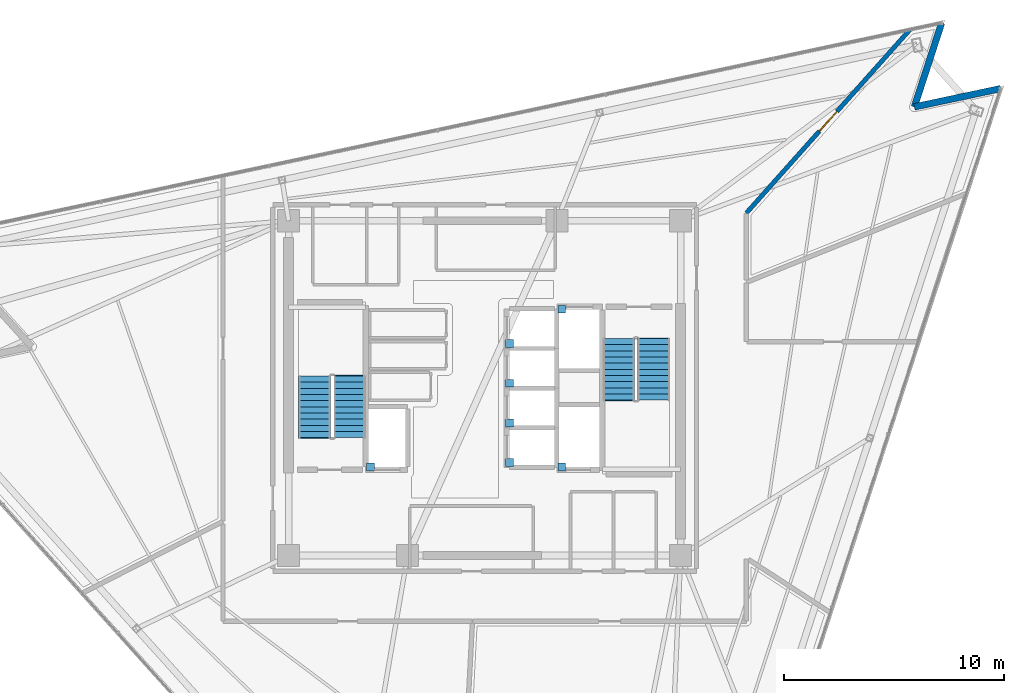
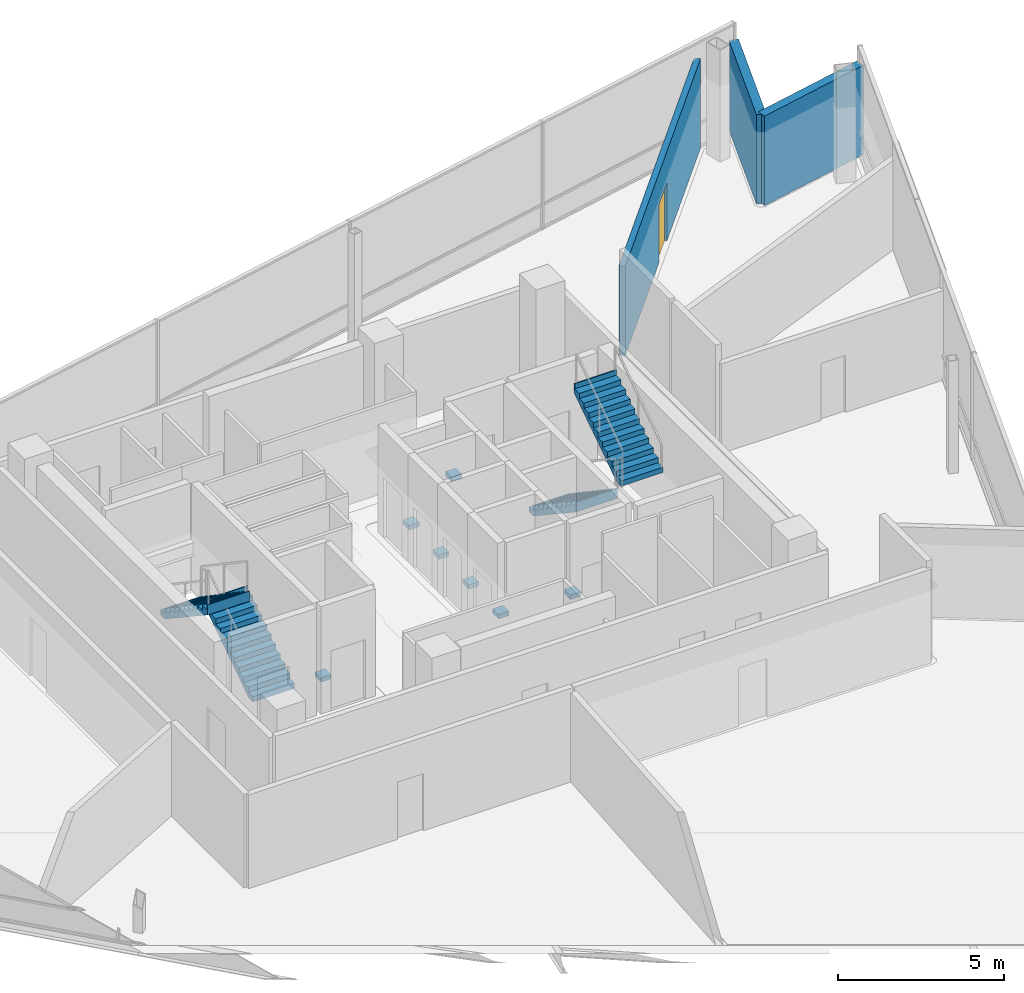
# One storey, part 13 of 17: 7 discrete accessories, 4 stair flights, 3 walls, 1 door, 1 opening, 2 elements without a shape of their own.
"""IFC4 building model written with IfcOpenShell, lengths in metres."""

from ifc_helpers import new_model, si_unit, direction, frame, frame_2d, origin, origin_2d, place, context, subcontext, project, spatial, polyline, rectangle, outline, extrude, material, layer, layer_set, type_object, element, fill, aggregate, save


model = new_model("IFC4")

# Units and contexts
model_context = context("Model", 3, precision=1e-05, world=origin(), true_north=direction((0.0, 1.0)))
body_context = subcontext(model_context, "Body", "Model", "MODEL_VIEW")
ifc_project = project(units=[si_unit("LENGTHUNIT", "METRE"), si_unit("AREAUNIT", "SQUARE_METRE"), si_unit("VOLUMEUNIT", "CUBIC_METRE"), si_unit("PLANEANGLEUNIT", "RADIAN"), si_unit("MASSUNIT", "GRAM", prefix="KILO")], contexts=[model_context])

# Site, building, storey
site_placement = place(None, origin())
site = spatial("IfcSite", under=ifc_project, at=site_placement, CompositionType="ELEMENT")
building_placement = place(site_placement, origin())
building = spatial("IfcBuilding", under=site, at=building_placement, Name="Tharavind Bronze Gate", CompositionType="ELEMENT")
storey_placement = place(building_placement, frame((0.0, 0.0, 298.0)))
storey = spatial("IfcBuildingStorey", under=building, at=storey_placement, Name="L77", CompositionType="ELEMENT", Elevation=298.0)

# Walls
ifc_material_1 = material(Name="Concrete C40/50", Category="concrete")
ifc_layer_1 = layer(ifc_material_1, 0.300048828125)
ifc_layer_set_1 = layer_set([ifc_layer_1], Name="Concrete C40/50")
wall_type_1 = type_object("IfcWallType", Name="EXTERIOR SPANDREL WALL 300", PredefinedType="STANDARD", material=ifc_layer_set_1)
wall_1_placement = place(storey_placement, frame((23.433837890625, 13.603271484375, 0.0), z_axis=(0.0, 0.0, 1.0), x_axis=(-0.97815049033, -0.207898095871, 0.0)))
element("IfcWall", 1, at=wall_1_placement, inside=storey, type_object=wall_type_1, Name="L77 notch cheek wall 3A", PredefinedType="STANDARD", context=body_context, shape_type="SweptSolid", body=[
    extrude(rectangle(XDim=4.008056640625, YDim=0.300048828125, at=frame_2d((2.00390625, 0.0))), origin(), (0.0, 0.0, 1.0), 3.294921875),
])
wall_2_placement = place(storey_placement, frame((19.513427734375, 12.77001953125, 0.0), z_axis=(0.0, 0.0, 1.0), x_axis=(0.309018580232, 0.951056001018, 0.0)))
element("IfcWall", 2, at=wall_2_placement, inside=storey, type_object=wall_type_1, Name="L77 notch cheek wall 3B", PredefinedType="STANDARD", context=body_context, shape_type="SweptSolid", body=[
    extrude(rectangle(XDim=4.0078125, YDim=0.300048828125, at=frame_2d((2.00390625, 0.0))), origin(), (0.0, 0.0, 1.0), 3.294921875),
])

# Wall, opening, door
ifc_material_2 = material(Name="Aerated Concrete Block", Category="concrete")
ifc_layer_2 = layer(ifc_material_2, 0.199951171875)
ifc_layer_set_2 = layer_set([ifc_layer_2], Name="Aerated Concrete Block")
wall_type_2 = type_object("IfcWallType", Name="FIRE RATED PARTITION 200", PredefinedType="PARTITIONING", material=ifc_layer_set_2)
wall_3_placement = place(storey_placement, frame((11.88623046875, 7.952880859375, 0.0), z_axis=(0.0, 0.0, 1.0), x_axis=(0.665691620666, 0.746226953531, 0.0)))
wall_3 = element("IfcWall", 3, at=wall_3_placement, inside=storey, type_object=wall_type_2, Name="L77 Crown Horizon Restaurant partition", PredefinedType="PARTITIONING", context=body_context, shape_type="SweptSolid", body=[
    extrude(rectangle(XDim=11.15283203125, YDim=0.199951171875, at=frame_2d((5.576416015625, 0.0))), origin(), (0.0, 0.0, 1.0), 3.294921875),
])
opening_placement = place(wall_3_placement, frame((4.97607421875, 0.0, 0.0)))
opening = element("IfcOpeningElement", 4, at=opening_placement, cuts=wall_3, Name="Opening ID05", PredefinedType="OPENING", context=body_context, shape_type="SweptSolid", body=[
    extrude(rectangle(XDim=1.199951171875, YDim=2.14990234375, at=frame_2d((0.60009765625, 1.074951171875))), frame((0.0, 0.11009765625, 0.0), z_axis=(0.0, -1.0, 0.0), x_axis=(1.0, 0.0, 0.0)), (0.0, 0.0, 1.0), 0.219951171875),
])
ifc_material_3 = material(Name="Acoustic Laminated Glass", Category="glass")
door_type = type_object("IfcDoorType", Name="MEETING ROOM GLAZED DOOR 1200X2150", OperationType="SINGLE_SWING_LEFT", PredefinedType="DOOR", material=ifc_material_3)
door_placement = place(opening_placement, origin())
door = element("IfcDoor", 5, at=door_placement, inside=storey, type_object=door_type, Name="L77 Crown Horizon Restaurant door", OperationType="SINGLE_SWING_LEFT", OverallHeight=2.14990234375, OverallWidth=1.199951171875, PredefinedType="DOOR", context=body_context, shape_type="SweptSolid", body=[
    extrude(rectangle(XDim=1.199951171875, YDim=2.14990234375, at=frame_2d((0.60009765625, 1.074951171875))), frame((0.0, 0.02490234375, 0.0), z_axis=(0.0, -1.0, 0.0), x_axis=(1.0, 0.0, 0.0)), (0.0, 0.0, 1.0), 0.050048828125),
])
fill(opening, door)

# Stair, stair flights
stair_type = type_object("IfcStairType", Name="CORE HALF TURN STAIR 1450", PredefinedType="HALF_TURN_STAIR", material=ifc_material_1)
stair_1_placement = place(storey_placement, origin())
stair_1 = element("IfcStair", 6, at=stair_1_placement, inside=storey, type_object=stair_type, Name="L77 Protected Exit Stair ST1", PredefinedType="HALF_TURN_STAIR")
stair_flight_type = type_object("IfcStairFlightType", Name="CORE STAIR FLIGHT 1450", PredefinedType="STRAIGHT", material=ifc_material_1)
stair_flight_1_placement = place(storey_placement, frame((-6.125, -2.25, 0.0), z_axis=(0.0, 0.0, 1.0), x_axis=(0.0, 1.0, 0.0)))
stair_flight_1 = element("IfcStairFlight", 7, at=stair_flight_1_placement, type_object=stair_flight_type, Name="ST1 flight 1", NumberOfRisers=11, NumberOfTreads=10, PredefinedType="STRAIGHT", RiserHeight=0.188636364, TreadLength=0.28, context=body_context, shape_type="SweptSolid", body=[
    extrude(outline(polyline([(0.0, 0.0), (0.0, 0.188720703125), (0.280029296875, 0.188720703125), (0.280029296875, 0.377197265625), (0.56005859375, 0.377197265625), (0.56005859375, 0.56591796875), (0.840087890625, 0.56591796875), (0.840087890625, 0.754638671875), (1.1201171875, 0.754638671875), (1.1201171875, 0.943115234375), (1.39990234375, 0.943115234375), (1.39990234375, 1.1318359375), (1.679931640625, 1.1318359375), (1.679931640625, 1.320556640625), (1.9599609375, 1.320556640625), (1.9599609375, 1.509033203125), (2.239990234375, 1.509033203125), (2.239990234375, 1.69775390625), (2.52001953125, 1.69775390625), (2.52001953125, 1.886474609375), (2.800048828125, 1.886474609375), (2.800048828125, 2.074951171875), (2.8359375, 2.074951171875), (2.8359375, 1.70556640625), (0.268310546875, 0.0), (0.0, 0.0)])), frame((0.0, 0.72509765625, 0.0), z_axis=(0.0, -1.0, 0.0), x_axis=(1.0, 0.0, 0.0)), (0.0, 0.0, 1.0), 1.449951171875),
])
stair_flight_2_placement = place(storey_placement, frame((-7.72509765625, 0.550048828125, 2.074951171875), z_axis=(0.0, 0.0, 1.0), x_axis=(0.0, -1.0, 0.0)))
stair_flight_2 = element("IfcStairFlight", 8, at=stair_flight_2_placement, type_object=stair_flight_type, Name="ST1 flight 2", NumberOfRisers=11, NumberOfTreads=10, PredefinedType="STRAIGHT", RiserHeight=0.188636364, TreadLength=0.28, context=body_context, shape_type="SweptSolid", body=[
    extrude(outline(polyline([(0.0, 0.0), (0.0, 0.188720703125), (0.280029296875, 0.188720703125), (0.280029296875, 0.377197265625), (0.56005859375, 0.377197265625), (0.56005859375, 0.56591796875), (0.840087890625, 0.56591796875), (0.840087890625, 0.754638671875), (1.1201171875, 0.754638671875), (1.1201171875, 0.943115234375), (1.39990234375, 0.943115234375), (1.39990234375, 1.1318359375), (1.679931640625, 1.1318359375), (1.679931640625, 1.320556640625), (1.9599609375, 1.320556640625), (1.9599609375, 1.509033203125), (2.239990234375, 1.509033203125), (2.239990234375, 1.69775390625), (2.52001953125, 1.69775390625), (2.52001953125, 1.886474609375), (2.800048828125, 1.886474609375), (2.800048828125, 2.074951171875), (2.8359375, 2.074951171875), (2.8359375, 1.70556640625), (0.268310546875, 0.0), (0.0, 0.0)])), frame((0.0, 0.72509765625, 0.0), z_axis=(0.0, -1.0, 0.0), x_axis=(1.0, 0.0, 0.0)), (0.0, 0.0, 1.0), 1.449951171875),
])
aggregate(stair_1, [stair_flight_1, stair_flight_2])

stair_2_placement = place(storey_placement, origin())
stair_2 = element("IfcStair", 9, at=stair_2_placement, inside=storey, type_object=stair_type, Name="L77 Protected Exit Stair ST2", PredefinedType="HALF_TURN_STAIR")
stair_flight_3_placement = place(storey_placement, frame((6.074951171875, 2.25, 0.0), z_axis=(0.0, 0.0, 1.0), x_axis=(0.0, -1.0, 0.0)))
stair_flight_3 = element("IfcStairFlight", 10, at=stair_flight_3_placement, type_object=stair_flight_type, Name="ST2 flight 1", NumberOfRisers=11, NumberOfTreads=10, PredefinedType="STRAIGHT", RiserHeight=0.188636364, TreadLength=0.28, context=body_context, shape_type="SweptSolid", body=[
    extrude(outline(polyline([(0.0, 0.0), (0.0, 0.188720703125), (0.280029296875, 0.188720703125), (0.280029296875, 0.377197265625), (0.56005859375, 0.377197265625), (0.56005859375, 0.56591796875), (0.840087890625, 0.56591796875), (0.840087890625, 0.754638671875), (1.1201171875, 0.754638671875), (1.1201171875, 0.943115234375), (1.39990234375, 0.943115234375), (1.39990234375, 1.1318359375), (1.679931640625, 1.1318359375), (1.679931640625, 1.320556640625), (1.9599609375, 1.320556640625), (1.9599609375, 1.509033203125), (2.239990234375, 1.509033203125), (2.239990234375, 1.69775390625), (2.52001953125, 1.69775390625), (2.52001953125, 1.886474609375), (2.800048828125, 1.886474609375), (2.800048828125, 2.074951171875), (2.8359375, 2.074951171875), (2.8359375, 1.70556640625), (0.268310546875, 0.0), (0.0, 0.0)])), frame((0.0, 0.72509765625, 0.0), z_axis=(0.0, -1.0, 0.0), x_axis=(1.0, 0.0, 0.0)), (0.0, 0.0, 1.0), 1.449951171875),
])
stair_flight_4_placement = place(storey_placement, frame((7.675048828125, -0.550048828125, 2.074951171875), z_axis=(0.0, 0.0, 1.0), x_axis=(0.0, 1.0, 0.0)))
stair_flight_4 = element("IfcStairFlight", 11, at=stair_flight_4_placement, type_object=stair_flight_type, Name="ST2 flight 2", NumberOfRisers=11, NumberOfTreads=10, PredefinedType="STRAIGHT", RiserHeight=0.188636364, TreadLength=0.28, context=body_context, shape_type="SweptSolid", body=[
    extrude(outline(polyline([(0.0, 0.0), (0.0, 0.188720703125), (0.280029296875, 0.188720703125), (0.280029296875, 0.377197265625), (0.56005859375, 0.377197265625), (0.56005859375, 0.56591796875), (0.840087890625, 0.56591796875), (0.840087890625, 0.754638671875), (1.1201171875, 0.754638671875), (1.1201171875, 0.943115234375), (1.39990234375, 0.943115234375), (1.39990234375, 1.1318359375), (1.679931640625, 1.1318359375), (1.679931640625, 1.320556640625), (1.9599609375, 1.320556640625), (1.9599609375, 1.509033203125), (2.239990234375, 1.509033203125), (2.239990234375, 1.69775390625), (2.52001953125, 1.69775390625), (2.52001953125, 1.886474609375), (2.800048828125, 1.886474609375), (2.800048828125, 2.074951171875), (2.8359375, 2.074951171875), (2.8359375, 1.70556640625), (0.268310546875, 0.0), (0.0, 0.0)])), frame((0.0, 0.72509765625, 0.0), z_axis=(0.0, -1.0, 0.0), x_axis=(1.0, 0.0, 0.0)), (0.0, 0.0, 1.0), 1.449951171875),
])
aggregate(stair_2, [stair_flight_3, stair_flight_4])

# Discrete accessories
ifc_material_4 = material(Name="Galvanised Steel S355", Category="steel")
discrete_accessory_type = type_object("IfcDiscreteAccessoryType", Name="LIFT GUIDE RAIL BRACKET", PredefinedType="BRACKET", material=ifc_material_4)
for number, where, z_axis, x_axis, name in (
    (12, (1.1201171875, -3.3798828125, 1.1201171875), (0.0, 0.0, 1.0), (1.0, 0.0, 0.0), "Lift PL9 guide rail bracket at L77"),
    (13, (1.1201171875, -1.580078125, 1.1201171875), (0.0, 0.0, 1.0), (1.0, 0.0, 0.0), "Lift PL10 guide rail bracket at L77"),
    (14, (1.1201171875, 0.219970703125, 1.1201171875), (0.0, 0.0, 1.0), (1.0, 0.0, 0.0), "Lift PL11 guide rail bracket at L77"),
    (15, (1.1201171875, 2.02001953125, 1.1201171875), (0.0, 0.0, 1.0), (1.0, 0.0, 0.0), "Lift PL12 guide rail bracket at L77"),
    (16, (-5.179931640625, -3.580078125, 1.1201171875), (0.0, 0.0, 1.0), (1.0, 0.0, 0.0), "Lift FFL1 guide rail bracket at L77"),
    (17, (3.5, 3.580078125, 1.1201171875), (0.0, 0.0, 1.0), (1.0, 0.0, 0.0), "Lift FFL2 guide rail bracket at L77"),
    (18, (3.5, -3.580078125, 1.1201171875), (0.0, 0.0, 1.0), (1.0, 0.0, 0.0), "Lift SVL1 guide rail bracket at L77"),
):
    element("IfcDiscreteAccessory", number, at=place(storey_placement, frame(where, z_axis=z_axis, x_axis=x_axis)), inside=storey, type_object=discrete_accessory_type, Name=name, PredefinedType="BRACKET", context=body_context, shape_type="SweptSolid", body=[
        extrude(rectangle(XDim=0.360107421875, YDim=0.360107421875, at=origin_2d()), origin(), (0.0, 0.0, 1.0), 0.159912109375),
    ])

save(model, "model.ifc")
